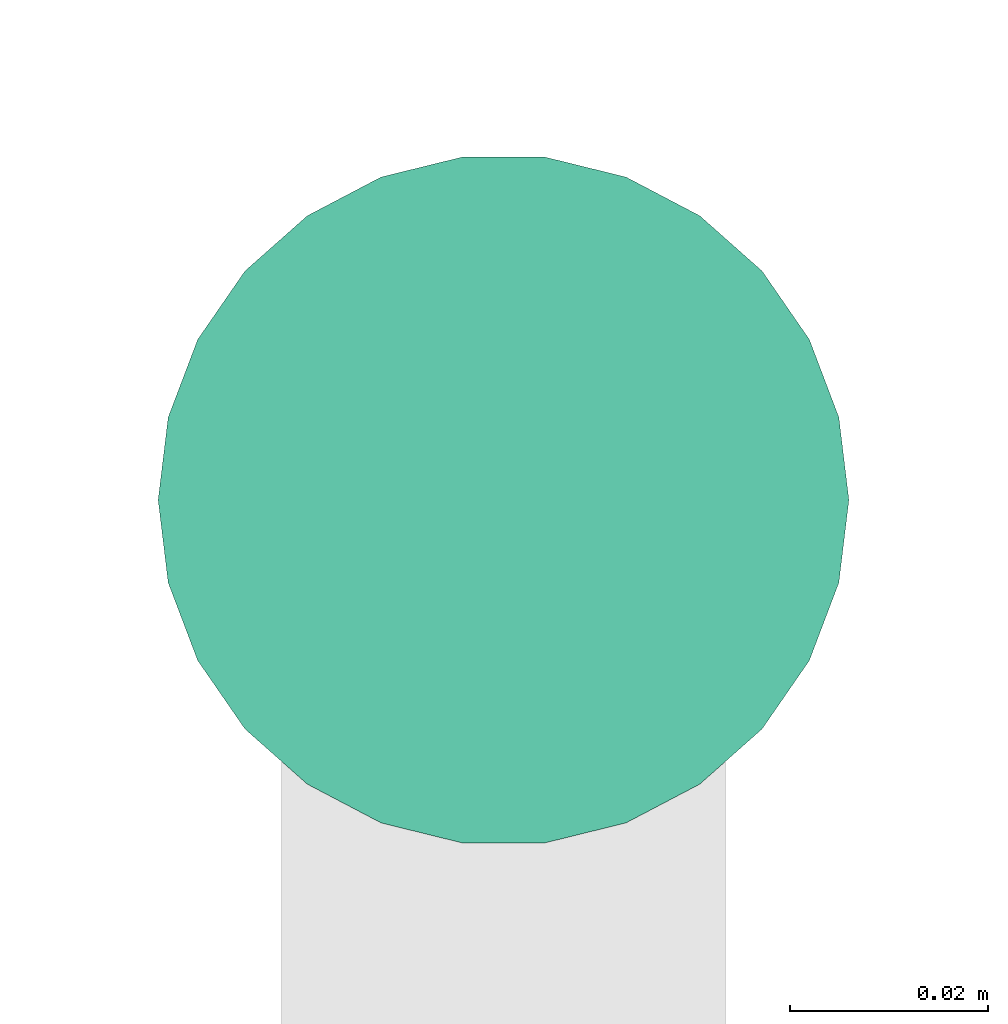
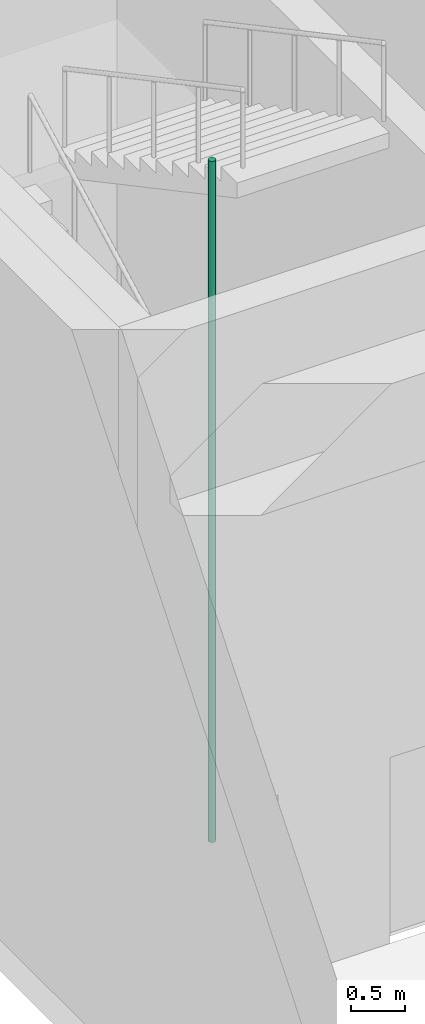
# One storey, part 26 of 33: 1 pipe segment.
"""IFC4 building model written with IfcOpenShell, lengths in metres."""

from ifc_helpers import new_model, si_unit, direction, frame, origin, origin_2d, place, context, subcontext, project, spatial, circle, extrude, element, save


model = new_model("IFC4")

# Units and contexts
model_context = context("Model", 3, precision=1e-05, world=origin(), true_north=direction((0.0, 1.0)))
body_context = subcontext(model_context, "Body", "Model", "MODEL_VIEW")
ifc_project = project(units=[si_unit("LENGTHUNIT", "METRE"), si_unit("AREAUNIT", "SQUARE_METRE"), si_unit("VOLUMEUNIT", "CUBIC_METRE"), si_unit("PLANEANGLEUNIT", "RADIAN"), si_unit("MASSUNIT", "GRAM", prefix="KILO")], contexts=[model_context])

# Site, building, storey
site_placement = place(None, origin())
site = spatial("IfcSite", under=ifc_project, at=site_placement, CompositionType="ELEMENT")
building_placement = place(site_placement, origin())
building = spatial("IfcBuilding", under=site, at=building_placement, Name="Nzadi Deep Aquarium and Research Tower", CompositionType="ELEMENT")
storey_placement = place(building_placement, frame((0.0, 0.0, 6.5)))
storey = spatial("IfcBuildingStorey", under=building, at=storey_placement, Name="L01", CompositionType="ELEMENT", Elevation=6.5)

# Pipe segment
pipe_segment_placement = place(storey_placement, frame((2.300048828125, 116.360107421875, 0.0), z_axis=(0.0, 0.0, 1.0), x_axis=(1.0, 0.0, 0.0)))
element("IfcPipeSegment", 1, at=pipe_segment_placement, inside=storey, Name="Dry riser ST-Z3-W L01", PredefinedType="RIGIDSEGMENT", context=body_context, shape_type="SweptSolid", body=[
    extrude(circle(Radius=0.034912109375, at=origin_2d()), origin(), (0.0, 0.0, 1.0), 7.699951171875),
])

save(model, "model.ifc")
